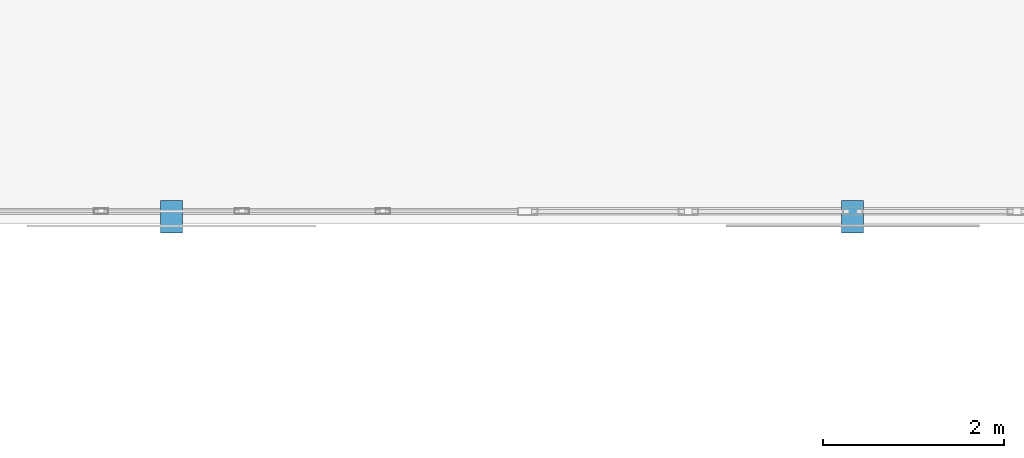
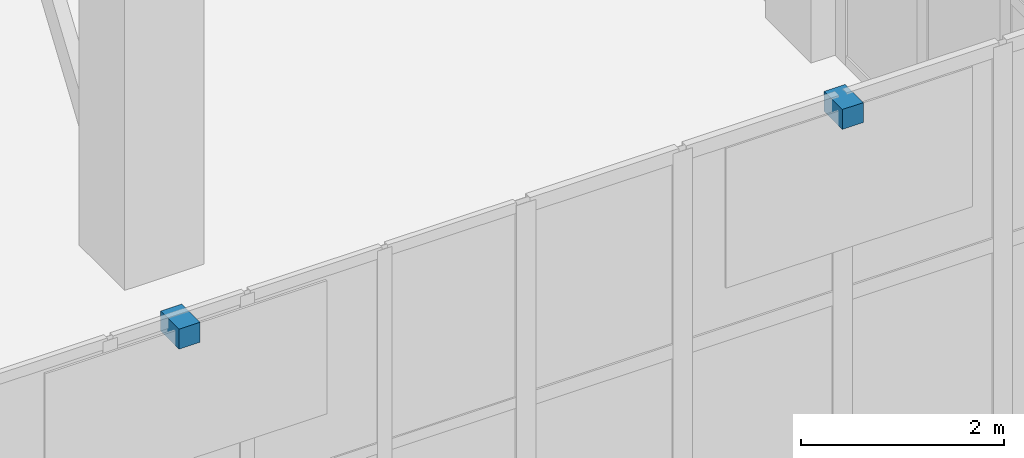
# One storey, part 130 of 139: 2 discrete accessories.
"""IFC4 building model written with IfcOpenShell, lengths in metres."""

from ifc_helpers import new_model, si_unit, direction, frame, origin, origin_2d, place, context, subcontext, project, spatial, rectangle, extrude, material, type_object, element, save


model = new_model("IFC4")

# Units and contexts
model_context = context("Model", 3, precision=1e-05, world=origin(), true_north=direction((0.0, 1.0)))
body_context = subcontext(model_context, "Body", "Model", "MODEL_VIEW")
ifc_project = project(units=[si_unit("LENGTHUNIT", "METRE"), si_unit("AREAUNIT", "SQUARE_METRE"), si_unit("VOLUMEUNIT", "CUBIC_METRE"), si_unit("PLANEANGLEUNIT", "RADIAN"), si_unit("MASSUNIT", "GRAM", prefix="KILO")], contexts=[model_context])

# Site, building, storey
site_placement = place(None, origin())
site = spatial("IfcSite", under=ifc_project, at=site_placement, CompositionType="ELEMENT")
building_placement = place(site_placement, origin())
building = spatial("IfcBuilding", under=site, at=building_placement, Name="Xicomal Pleat Aquarium", CompositionType="ELEMENT")
storey_placement = place(building_placement, origin())
storey = spatial("IfcBuildingStorey", under=building, at=storey_placement, Name="L01", CompositionType="ELEMENT", Elevation=0.0)

# Discrete accessories
ifc_material = material(Name="Stainless steel 316L", Category="steel")
discrete_accessory_type = type_object("IfcDiscreteAccessoryType", Name="ACC-BRK-STL", PredefinedType="BRACKET", material=ifc_material)
for number, where, z_axis, x_axis, name in (
    (1, (129.639892578125, 30.47998046875, 4.93994140625), (0.0, 0.0, 1.0), (-1.0, 0.0, 0.0), "L01 sunshade support bracket 22"),
    (2, (122.10009765625, 30.47998046875, 4.93994140625), (0.0, 0.0, 1.0), (-1.0, 0.0, 0.0), "L01 sunshade support bracket 23"),
):
    element("IfcDiscreteAccessory", number, at=place(storey_placement, frame(where, z_axis=z_axis, x_axis=x_axis)), inside=storey, type_object=discrete_accessory_type, Name=name, PredefinedType="BRACKET", context=body_context, shape_type="SweptSolid", body=[
        extrude(rectangle(XDim=0.239990234375, YDim=0.360107421875, at=origin_2d()), origin(), (0.0, 0.0, 1.0), 0.239990234375),
    ])

save(model, "model.ifc")
